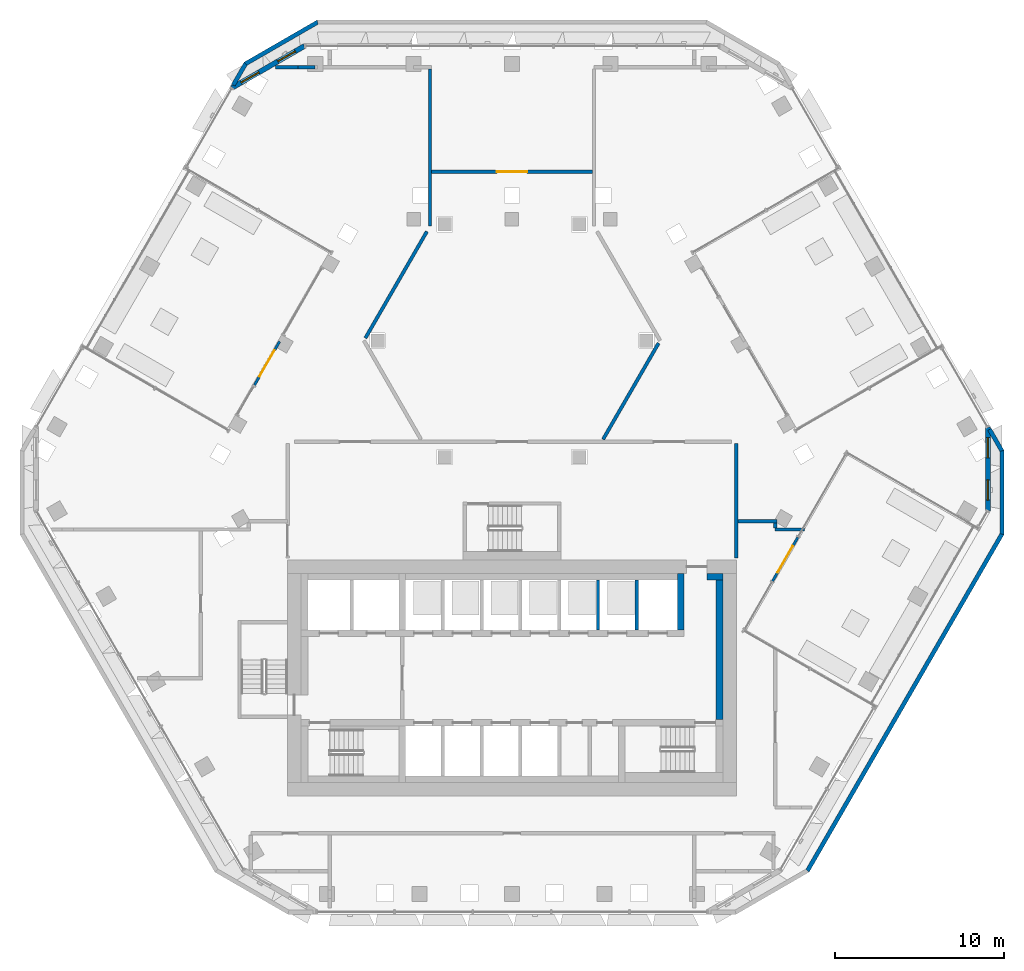
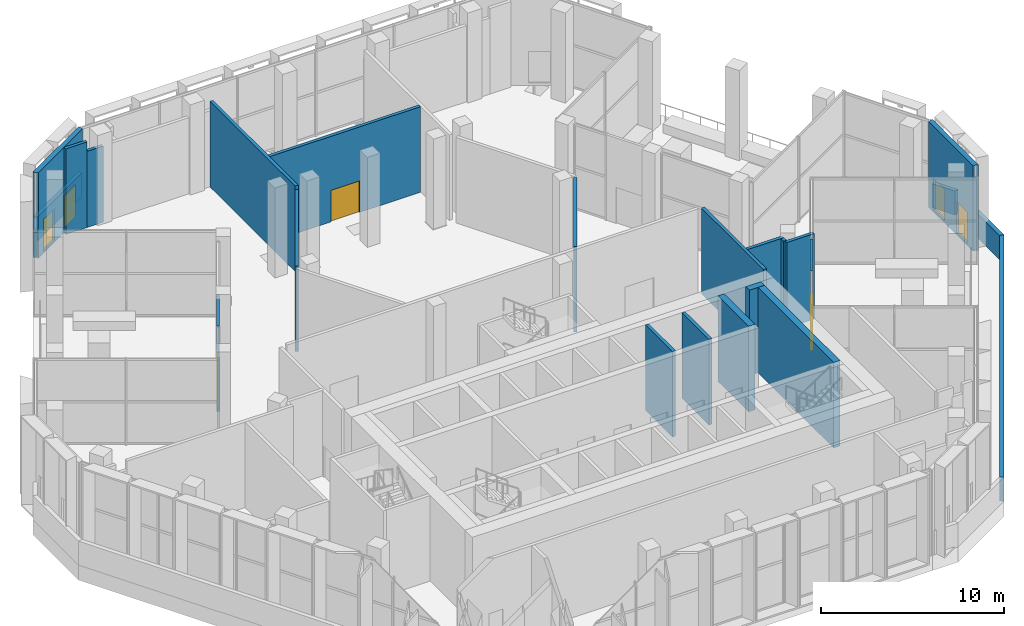
# One storey, part 14 of 27: 24 walls, 4 windows, 3 doors, 7 openings.
"""IFC4 building model written with IfcOpenShell, lengths in metres."""

from ifc_helpers import new_model, si_unit, direction, frame, frame_2d, origin, place, context, subcontext, project, spatial, polyline, rectangle, outline, extrude, material, layer, layer_set, type_object, element, fill, save


model = new_model("IFC4")

# Units and contexts
model_context = context("Model", 3, precision=1e-05, world=origin(), true_north=direction((0.0, 1.0)))
body_context = subcontext(model_context, "Body", "Model", "MODEL_VIEW")
ifc_project = project(units=[si_unit("LENGTHUNIT", "METRE"), si_unit("AREAUNIT", "SQUARE_METRE"), si_unit("VOLUMEUNIT", "CUBIC_METRE"), si_unit("PLANEANGLEUNIT", "RADIAN"), si_unit("MASSUNIT", "GRAM", prefix="KILO")], contexts=[model_context])

# Site, building, storey
site_placement = place(None, origin())
site = spatial("IfcSite", under=ifc_project, at=site_placement, CompositionType="ELEMENT")
building_placement = place(site_placement, origin())
building = spatial("IfcBuilding", under=site, at=building_placement, Name="Beryl Residences", CompositionType="ELEMENT")
storey_placement = place(building_placement, frame((0.0, 0.0, 111.60009765625)))
storey = spatial("IfcBuildingStorey", under=building, at=storey_placement, Name="L34", CompositionType="ELEMENT", Elevation=111.60009765625)

# Wall, openings, windows
ifc_material_1 = material(Name="Composite metal panel with mineral wool insulation")
ifc_layer_1 = layer(ifc_material_1, 0.300048828125)
ifc_layer_set_1 = layer_set([ifc_layer_1], Name="ES1 pale metal composite panel wall 300 mm")
wall_type_1 = type_object("IfcWallType", Name="ES1 pale metal composite panel wall 300 mm", PredefinedType="SOLIDWALL", material=ifc_layer_set_1)
wall_1_placement = place(storey_placement, frame((-12.280029296875, 25.469970703125, 0.0), z_axis=(0.0, 0.0, 1.0), x_axis=(-0.866022959057, -0.500004234368, 0.0)))
wall_1 = element("IfcWall", 1, at=wall_1_placement, inside=storey, type_object=wall_type_1, Name="ES1 external wall L34 N-NW", PredefinedType="SOLIDWALL", context=body_context, shape_type="SweptSolid", body=[
    extrude(outline(polyline([(0.0, -0.14990234375), (5.0, -0.14990234375), (4.919677734375, 0.14990234375), (0.080322265625, 0.14990234375), (0.0, -0.14990234375)])), origin(), (0.0, 0.0, 1.0), 5.699951171875),
])
opening_1_placement = place(wall_1_placement, frame((0.64990234375, 0.0, 0.14990234375)))
opening_1 = element("IfcOpeningElement", 2, at=opening_1_placement, cuts=wall_1, Name="Opening W2", PredefinedType="OPENING", context=body_context, shape_type="SweptSolid", body=[
    extrude(rectangle(XDim=1.199951171875, YDim=2.10009765625, at=frame_2d((0.60009765625, 1.050048828125))), frame((0.0, 0.159912109375, 0.0), z_axis=(0.0, -1.0, 0.0), x_axis=(1.0, 0.0, 0.0)), (0.0, 0.0, 1.0), 0.320068359375),
])
opening_2_placement = place(wall_1_placement, frame((3.14892578125, 0.0, 0.14990234375)))
opening_2 = element("IfcOpeningElement", 3, at=opening_2_placement, cuts=wall_1, Name="Opening W2", PredefinedType="OPENING", context=body_context, shape_type="SweptSolid", body=[
    extrude(rectangle(XDim=1.199951171875, YDim=2.10009765625, at=frame_2d((0.60009765625, 1.050048828125))), frame((0.0, 0.159912109375, 0.0), z_axis=(0.0, -1.0, 0.0), x_axis=(1.0, 0.0, 0.0)), (0.0, 0.0, 1.0), 0.320068359375),
])
ifc_material_2 = material(Name="Aluminium and clear glass", Category="aluminium")
window_type = type_object("IfcWindowType", Name="W2 chamfer window 1200 x 2100 mm", PartitioningType="SINGLE_PANEL", PredefinedType="WINDOW", material=ifc_material_2)
window_1_placement = place(opening_1_placement, origin())
window_1 = element("IfcWindow", 4, at=window_1_placement, inside=storey, type_object=window_type, Name="W2 window L34 N-NW 1", OverallHeight=2.10009765625, OverallWidth=1.199951171875, PartitioningType="SINGLE_PANEL", PredefinedType="WINDOW", context=body_context, shape_type="SweptSolid", body=[
    extrude(rectangle(XDim=1.199951171875, YDim=2.10009765625, at=frame_2d((0.60009765625, 1.050048828125))), frame((0.0, 0.030029296875, 0.0), z_axis=(0.0, -1.0, 0.0), x_axis=(1.0, 0.0, 0.0)), (0.0, 0.0, 1.0), 0.06005859375),
])
fill(opening_1, window_1)
window_2_placement = place(opening_2_placement, origin())
window_2 = element("IfcWindow", 5, at=window_2_placement, inside=storey, type_object=window_type, Name="W2 window L34 N-NW 2", OverallHeight=2.10009765625, OverallWidth=1.199951171875, PartitioningType="SINGLE_PANEL", PredefinedType="WINDOW", context=body_context, shape_type="SweptSolid", body=[
    extrude(rectangle(XDim=1.199951171875, YDim=2.10009765625, at=frame_2d((0.60009765625, 1.050048828125))), frame((0.0, 0.030029296875, 0.0), z_axis=(0.0, -1.0, 0.0), x_axis=(1.0, 0.0, 0.0)), (0.0, 0.0, 1.0), 0.06005859375),
])
fill(opening_2, window_2)

wall_2_placement = place(storey_placement, frame((28.197998046875, -2.10009765625, 0.0), z_axis=(0.0, 0.0, 1.0), x_axis=(0.0, 1.0, 0.0)))
wall_2 = element("IfcWall", 6, at=wall_2_placement, inside=storey, type_object=wall_type_1, Name="ES1 external wall L34 SE-NE", PredefinedType="SOLIDWALL", context=body_context, shape_type="SweptSolid", body=[
    extrude(outline(polyline([(0.0, -0.14990234375), (5.0, -0.14990234375), (4.919677734375, 0.14990234375), (0.080322265625, 0.14990234375), (0.0, -0.14990234375)])), origin(), (0.0, 0.0, 1.0), 5.699951171875),
])
opening_3_placement = place(wall_2_placement, frame((0.64990234375, 0.0, 0.14990234375)))
opening_3 = element("IfcOpeningElement", 7, at=opening_3_placement, cuts=wall_2, Name="Opening W2", PredefinedType="OPENING", context=body_context, shape_type="SweptSolid", body=[
    extrude(rectangle(XDim=1.199951171875, YDim=2.10009765625, at=frame_2d((0.60009765625, 1.050048828125))), frame((0.0, 0.159912109375, 0.0), z_axis=(0.0, -1.0, 0.0), x_axis=(1.0, 0.0, 0.0)), (0.0, 0.0, 1.0), 0.320068359375),
])
opening_4_placement = place(wall_2_placement, frame((3.14990234375, 0.0, 0.14990234375)))
opening_4 = element("IfcOpeningElement", 8, at=opening_4_placement, cuts=wall_2, Name="Opening W2", PredefinedType="OPENING", context=body_context, shape_type="SweptSolid", body=[
    extrude(rectangle(XDim=1.199951171875, YDim=2.10009765625, at=frame_2d((0.60009765625, 1.050048828125))), frame((0.0, 0.159912109375, 0.0), z_axis=(0.0, -1.0, 0.0), x_axis=(1.0, 0.0, 0.0)), (0.0, 0.0, 1.0), 0.320068359375),
])
window_3_placement = place(opening_3_placement, origin())
window_3 = element("IfcWindow", 9, at=window_3_placement, inside=storey, type_object=window_type, Name="W2 window L34 SE-NE 1", OverallHeight=2.10009765625, OverallWidth=1.199951171875, PartitioningType="SINGLE_PANEL", PredefinedType="WINDOW", context=body_context, shape_type="SweptSolid", body=[
    extrude(rectangle(XDim=1.199951171875, YDim=2.10009765625, at=frame_2d((0.60009765625, 1.050048828125))), frame((0.0, 0.030029296875, 0.0), z_axis=(0.0, -1.0, 0.0), x_axis=(1.0, 0.0, 0.0)), (0.0, 0.0, 1.0), 0.06005859375),
])
fill(opening_3, window_3)
window_4_placement = place(opening_4_placement, origin())
window_4 = element("IfcWindow", 10, at=window_4_placement, inside=storey, type_object=window_type, Name="W2 window L34 SE-NE 2", OverallHeight=2.10009765625, OverallWidth=1.199951171875, PartitioningType="SINGLE_PANEL", PredefinedType="WINDOW", context=body_context, shape_type="SweptSolid", body=[
    extrude(rectangle(XDim=1.199951171875, YDim=2.10009765625, at=frame_2d((0.60009765625, 1.050048828125))), frame((0.0, 0.030029296875, 0.0), z_axis=(0.0, -1.0, 0.0), x_axis=(1.0, 0.0, 0.0)), (0.0, 0.0, 1.0), 0.06005859375),
])
fill(opening_4, window_4)

# Wall, opening, door
ifc_material_3 = material(Name="Aluminium framed insulated wall", Category="aluminium")
ifc_layer_2 = layer(ifc_material_3, 0.14990234375)
ifc_layer_set_2 = layer_set([ifc_layer_2], Name="GW1 glazed door wall 150 mm")
wall_type_2 = type_object("IfcWallType", Name="GW1 glazed door wall 150 mm", PredefinedType="SOLIDWALL", material=ifc_layer_set_2)
wall_3_placement = place(storey_placement, frame((-13.77001953125, 7.949951171875, 0.0), z_axis=(0.0, 0.0, 1.0), x_axis=(-0.50002537861, -0.866010750942, 0.0)))
wall_3 = element("IfcWall", 11, at=wall_3_placement, inside=storey, type_object=wall_type_2, Name="GW1 door wall L34 NW", PredefinedType="SOLIDWALL", context=body_context, shape_type="SweptSolid", body=[
    extrude(rectangle(XDim=2.999755859375, YDim=0.14990234375, at=frame_2d((1.5, 0.0))), origin(), (0.0, 0.0, 1.0), 5.699951171875),
])
opening_5_placement = place(wall_3_placement, frame((0.60009765625, 0.0, 0.0)))
opening_5 = element("IfcOpeningElement", 12, at=opening_5_placement, cuts=wall_3, Name="Opening SD3", PredefinedType="OPENING", context=body_context, shape_type="SweptSolid", body=[
    extrude(rectangle(XDim=1.800048828125, YDim=2.39990234375, at=frame_2d((0.89990234375, 1.199951171875))), frame((0.0, 0.0849609375, 0.0), z_axis=(0.0, -1.0, 0.0), x_axis=(1.0, 0.0, 0.0)), (0.0, 0.0, 1.0), 0.169921875),
])
ifc_material_4 = material(Name="Aluminium and clear glass", Category="aluminium")
door_type_1 = type_object("IfcDoorType", Name="SD3 sliding glass door 1800 x 2400 mm", OperationType="SLIDING_TO_LEFT", PredefinedType="DOOR", material=ifc_material_4)
door_1_placement = place(opening_5_placement, origin())
door_1 = element("IfcDoor", 13, at=door_1_placement, inside=storey, type_object=door_type_1, Name="SD3 garden door L34 NW", OperationType="SLIDING_TO_LEFT", OverallHeight=2.39990234375, OverallWidth=1.800048828125, PredefinedType="DOOR", context=body_context, shape_type="SweptSolid", body=[
    extrude(rectangle(XDim=1.800048828125, YDim=2.39990234375, at=frame_2d((0.89990234375, 1.199951171875))), frame((0.0, 0.02490234375, 0.0), z_axis=(0.0, -1.0, 0.0), x_axis=(1.0, 0.0, 0.0)), (0.0, 0.0, 1.0), 0.050048828125),
])
fill(opening_5, door_1)

wall_4_placement = place(storey_placement, frame((15.43896484375, -6.258056640625, 0.0), z_axis=(0.0, 0.0, 1.0), x_axis=(0.499990139034, 0.866031096941, 0.0)))
wall_4 = element("IfcWall", 14, at=wall_4_placement, inside=storey, type_object=wall_type_2, Name="GW1 door wall L34 SE", PredefinedType="SOLIDWALL", context=body_context, shape_type="SweptSolid", body=[
    extrude(rectangle(XDim=3.0, YDim=0.14990234375, at=frame_2d((1.5, 0.0))), origin(), (0.0, 0.0, 1.0), 5.699951171875),
])
opening_6_placement = place(wall_4_placement, frame((0.60009765625, 0.0, 0.0)))
opening_6 = element("IfcOpeningElement", 15, at=opening_6_placement, cuts=wall_4, Name="Opening SD3", PredefinedType="OPENING", context=body_context, shape_type="SweptSolid", body=[
    extrude(rectangle(XDim=1.800048828125, YDim=2.39990234375, at=frame_2d((0.89990234375, 1.199951171875))), frame((0.0, 0.0849609375, 0.0), z_axis=(0.0, -1.0, 0.0), x_axis=(1.0, 0.0, 0.0)), (0.0, 0.0, 1.0), 0.169921875),
])
door_2_placement = place(opening_6_placement, origin())
door_2 = element("IfcDoor", 16, at=door_2_placement, inside=storey, type_object=door_type_1, Name="SD3 garden door L34 SE", OperationType="SLIDING_TO_LEFT", OverallHeight=2.39990234375, OverallWidth=1.800048828125, PredefinedType="DOOR", context=body_context, shape_type="SweptSolid", body=[
    extrude(rectangle(XDim=1.800048828125, YDim=2.39990234375, at=frame_2d((0.89990234375, 1.199951171875))), frame((0.0, 0.02490234375, 0.0), z_axis=(0.0, -1.0, 0.0), x_axis=(1.0, 0.0, 0.0)), (0.0, 0.0, 1.0), 0.050048828125),
])
fill(opening_6, door_2)

# Walls
ifc_material_5 = material(Name="Precast concrete C40/50", Category="concrete")
ifc_layer_3 = layer(ifc_material_5, 0.25)
ifc_layer_set_3 = layer_set([ifc_layer_3], Name="PA1 roof parapet 250 mm")
wall_type_3 = type_object("IfcWallType", Name="PA1 roof parapet 250 mm", PredefinedType="PARAPET", material=ifc_layer_set_3)
wall_5_placement = place(storey_placement, frame((28.299072265625, 2.736083984375, 0.0), z_axis=(0.0, 0.0, 1.0), x_axis=(0.500272171574, -0.865868208418, 0.0)))
element("IfcWall", 17, at=wall_5_placement, inside=storey, type_object=wall_type_3, Name="PA1 parapet L34 strip 1", PredefinedType="PARAPET", context=body_context, shape_type="SweptSolid", body=[
    extrude(outline(polyline([(0.0, -0.125), (1.432373046875, -0.125), (1.499267578125, 0.125), (0.0, 0.125), (0.0, -0.125)])), origin(), (0.0, 0.0, 1.0), 1.599853515625),
])
wall_6_placement = place(storey_placement, frame((29.031982421875, 1.5009765625, 0.0), z_axis=(0.0, 0.0, 1.0), x_axis=(0.0, -1.0, 0.0)))
element("IfcWall", 18, at=wall_6_placement, inside=storey, type_object=wall_type_3, Name="PA1 parapet L34 strip 2", PredefinedType="PARAPET", context=body_context, shape_type="SweptSolid", body=[
    extrude(outline(polyline([(0.06689453125, -0.125), (4.93408203125, -0.125), (5.0009765625, 0.125), (0.0, 0.125), (0.06689453125, -0.125)])), origin(), (0.0, 0.0, 1.0), 1.599853515625),
])
wall_7_placement = place(storey_placement, frame((29.049072265625, -3.43798828125, 0.0), z_axis=(0.0, 0.0, 1.0), x_axis=(-0.500085431376, -0.865976074338, 0.0)))
element("IfcWall", 19, at=wall_7_placement, inside=storey, type_object=wall_type_3, Name="PA1 parapet L34 strip 3", PredefinedType="PARAPET", context=body_context, shape_type="SweptSolid", body=[
    extrude(outline(polyline([(0.06689453125, -0.125), (23.02734375, -0.125), (23.09423828125, 0.125), (0.0, 0.125), (0.06689453125, -0.125)])), origin(), (0.0, 0.0, 1.0), 1.599853515625),
])
wall_8_placement = place(storey_placement, frame((-16.51806640625, 23.139892578125, 0.0), z_axis=(0.0, 0.0, 1.0), x_axis=(0.500554469283, 0.865705044043, 0.0)))
element("IfcWall", 20, at=wall_8_placement, inside=storey, type_object=wall_type_3, Name="PA1 parapet L34 strip 1", PredefinedType="PARAPET", context=body_context, shape_type="SweptSolid", body=[
    extrude(outline(polyline([(0.0, -0.125), (1.431396484375, -0.125), (1.498291015625, 0.125), (0.0, 0.125), (0.0, -0.125)])), origin(), (0.0, 0.0, 1.0), 1.599853515625),
])
wall_9_placement = place(storey_placement, frame((-15.81396484375, 24.39111328125, 0.0), z_axis=(0.0, 0.0, 1.0), x_axis=(0.865877295069, 0.50025644412, 0.0)))
element("IfcWall", 21, at=wall_9_placement, inside=storey, type_object=wall_type_3, Name="PA1 parapet L34 strip 2", PredefinedType="PARAPET", context=body_context, shape_type="SweptSolid", body=[
    extrude(outline(polyline([(0.06689453125, -0.125), (4.932373046875, -0.125), (4.999267578125, 0.125), (0.0, 0.125), (0.06689453125, -0.125)])), origin(), (0.0, 0.0, 1.0), 1.599853515625),
])
ifc_material_6 = material(Name="Concrete masonry", Category="masonry")
ifc_layer_4 = layer(ifc_material_6, 0.39990234375)
ifc_layer_set_4 = layer_set([ifc_layer_4], Name="PT13-400 lobby wall 400 mm")
wall_type_4 = type_object("IfcWallType", Name="PT13-400 lobby wall 400 mm", PredefinedType="PARTITIONING", material=ifc_layer_set_4)
wall_10_placement = place(storey_placement, frame((11.550048828125, -6.0, 0.0), z_axis=(0.0, 0.0, 1.0), x_axis=(1.0, 0.0, 0.0)))
element("IfcWall", 22, at=wall_10_placement, inside=storey, type_object=wall_type_4, Name="Lobby wall 26", PredefinedType="PARTITIONING", context=body_context, shape_type="SweptSolid", body=[
    extrude(rectangle(XDim=0.949951171875, YDim=0.39990234375, at=frame_2d((0.47509765625, 0.0))), origin(), (0.0, 0.0, 1.0), 5.699951171875),
])
wall_11_placement = place(storey_placement, frame((12.300048828125, -14.449951171875, 0.0), z_axis=(0.0, 0.0, 1.0), x_axis=(0.0, 1.0, 0.0)))
element("IfcWall", 23, at=wall_11_placement, inside=storey, type_object=wall_type_4, Name="Lobby wall 28", PredefinedType="PARTITIONING", context=body_context, shape_type="SweptSolid", body=[
    extrude(rectangle(XDim=8.25, YDim=0.39990234375, at=frame_2d((4.125, 0.0))), origin(), (0.0, 0.0, 1.0), 5.699951171875),
])
ifc_material_7 = material(Name="Double stud gypsum board wall")
ifc_layer_5 = layer(ifc_material_7, 0.199951171875)
ifc_layer_set_5 = layer_set([ifc_layer_5], Name="PT4 corridor wall 200 mm double stud")
wall_type_5 = type_object("IfcWallType", Name="PT4 corridor wall 200 mm double stud", PredefinedType="PARTITIONING", material=ifc_layer_set_5)
wall_12_placement = place(storey_placement, frame((15.60009765625, -3.196044921875, 0.0), z_axis=(0.0, 0.0, 1.0), x_axis=(1.0, 0.0, 0.0)))
element("IfcWall", 24, at=wall_12_placement, inside=storey, type_object=wall_type_5, Name="Wall PT4 L34 011", PredefinedType="PARTITIONING", context=body_context, shape_type="SweptSolid", body=[
    extrude(rectangle(XDim=1.73095703125, YDim=0.199951171875, at=frame_2d((0.865478515625, 0.0))), origin(), (0.0, 0.0, 1.0), 5.699951171875),
])
wall_13_placement = place(storey_placement, frame((13.39990234375, -2.699951171875, 0.0), z_axis=(0.0, 0.0, 1.0), x_axis=(1.0, 0.0, 0.0)))
element("IfcWall", 25, at=wall_13_placement, inside=storey, type_object=wall_type_5, Name="Wall PT4 L34 013", PredefinedType="PARTITIONING", context=body_context, shape_type="SweptSolid", body=[
    extrude(rectangle(XDim=2.300048828125, YDim=0.199951171875, at=frame_2d((1.14990234375, 0.0))), origin(), (0.0, 0.0, 1.0), 5.699951171875),
])

# Wall, opening, door
wall_14_placement = place(storey_placement, frame((-4.757080078125, 18.0, 0.0), z_axis=(0.0, 0.0, 1.0), x_axis=(1.0, 0.0, 0.0)))
wall_14 = element("IfcWall", 26, at=wall_14_placement, inside=storey, type_object=wall_type_5, Name="Wall PT4 L34 015", PredefinedType="PARTITIONING", context=body_context, shape_type="SweptSolid", body=[
    extrude(rectangle(XDim=9.51416015625, YDim=0.199951171875, at=frame_2d((4.757080078125, 0.0))), origin(), (0.0, 0.0, 1.0), 5.699951171875),
])
opening_7_placement = place(wall_14_placement, frame((3.85693359375, 0.0, 0.0)))
opening_7 = element("IfcOpeningElement", 27, at=opening_7_placement, cuts=wall_14, Name="Opening L34-08", PredefinedType="OPENING", context=body_context, shape_type="SweptSolid", body=[
    extrude(rectangle(XDim=1.800048828125, YDim=2.10009765625, at=frame_2d((0.89990234375, 1.050048828125))), frame((0.0, 0.10986328125, 0.0), z_axis=(0.0, -1.0, 0.0), x_axis=(1.0, 0.0, 0.0)), (0.0, 0.0, 1.0), 0.219970703125),
])
ifc_material_8 = material(Name="Timber door leaf", Category="wood")
door_type_2 = type_object("IfcDoorType", Name="D20 corridor door 1800 x 2100 mm", OperationType="DOUBLE_DOOR_SINGLE_SWING", PredefinedType="DOOR", material=ifc_material_8)
door_3_placement = place(opening_7_placement, origin())
door_3 = element("IfcDoor", 28, at=door_3_placement, inside=storey, type_object=door_type_2, Name="Door L34-08 L34 001", OperationType="DOUBLE_DOOR_SINGLE_SWING", OverallHeight=2.10009765625, OverallWidth=1.800048828125, PredefinedType="DOOR", context=body_context, shape_type="SweptSolid", body=[
    extrude(rectangle(XDim=1.800048828125, YDim=2.10009765625, at=frame_2d((0.89990234375, 1.050048828125))), frame((0.0, 0.02490234375, 0.0), z_axis=(0.0, -1.0, 0.0), x_axis=(1.0, 0.0, 0.0)), (0.0, 0.0, 1.0), 0.050048828125),
])
fill(opening_7, door_3)

# Walls
wall_15_placement = place(storey_placement, frame((-14.027099609375, 24.196044921875, 0.0), z_axis=(0.0, 0.0, 1.0), x_axis=(1.0, 0.0, 0.0)))
element("IfcWall", 29, at=wall_15_placement, inside=storey, type_object=wall_type_5, Name="Wall PT4 L34 016", PredefinedType="PARTITIONING", context=body_context, shape_type="SweptSolid", body=[
    extrude(rectangle(XDim=1.338134765625, YDim=0.199951171875, at=frame_2d((0.6689453125, 0.0))), origin(), (0.0, 0.0, 1.0), 5.699951171875),
])
wall_16_placement = place(storey_placement, frame((-12.68896484375, 24.196044921875, 0.0), z_axis=(0.0, 0.0, 1.0), x_axis=(1.0, 0.0, 0.0)))
element("IfcWall", 30, at=wall_16_placement, inside=storey, type_object=wall_type_5, Name="Wall PT4 L34 017", PredefinedType="PARTITIONING", context=body_context, shape_type="SweptSolid", body=[
    extrude(rectangle(XDim=1.02685546875, YDim=0.199951171875, at=frame_2d((0.513427734375, 0.0))), origin(), (0.0, 0.0, 1.0), 5.06982421875),
])
wall_17_placement = place(storey_placement, frame((-4.85693359375, 14.787109375, 0.0), z_axis=(0.0, 0.0, 1.0), x_axis=(0.0, 1.0, 0.0)))
element("IfcWall", 31, at=wall_17_placement, inside=storey, type_object=wall_type_5, Name="Wall PT4 L34 034", PredefinedType="PARTITIONING", context=body_context, shape_type="SweptSolid", body=[
    extrude(rectangle(XDim=9.308837890625, YDim=0.199951171875, at=frame_2d((4.654296875, 0.0))), origin(), (0.0, 0.0, 1.0), 5.699951171875),
])
wall_18_placement = place(storey_placement, frame((13.300048828125, -4.8798828125, 0.0), z_axis=(0.0, 0.0, 1.0), x_axis=(0.0, 1.0, 0.0)))
element("IfcWall", 32, at=wall_18_placement, inside=storey, type_object=wall_type_5, Name="Wall PT4 L34 041", PredefinedType="PARTITIONING", context=body_context, shape_type="SweptSolid", body=[
    extrude(rectangle(XDim=6.77978515625, YDim=0.199951171875, at=frame_2d((3.389892578125, 0.0))), origin(), (0.0, 0.0, 1.0), 5.699951171875),
])
wall_19_placement = place(storey_placement, frame((15.60009765625, -3.095947265625, 0.0), z_axis=(0.0, 0.0, 1.0), x_axis=(0.0, 1.0, 0.0)))
element("IfcWall", 33, at=wall_19_placement, inside=storey, type_object=wall_type_5, Name="Wall PT4 L34 043", PredefinedType="PARTITIONING", context=body_context, shape_type="SweptSolid", body=[
    extrude(rectangle(XDim=0.2958984375, YDim=0.199951171875, at=frame_2d((0.14794921875, 0.0))), origin(), (0.0, 0.0, 1.0), 5.699951171875),
])
wall_20_placement = place(storey_placement, frame((5.39697265625, 2.14794921875, 0.0), z_axis=(0.0, 0.0, 1.0), x_axis=(0.499983511822, 0.866034923029, 0.0)))
element("IfcWall", 34, at=wall_20_placement, inside=storey, type_object=wall_type_5, Name="Wall PT4 L34 046", PredefinedType="PARTITIONING", context=body_context, shape_type="SweptSolid", body=[
    extrude(rectangle(XDim=6.584228515625, YDim=0.199951171875, at=frame_2d((3.2919921875, 0.0))), origin(), (0.0, 0.0, 1.0), 5.699951171875),
])
wall_21_placement = place(storey_placement, frame((-8.68896484375, 8.14990234375, 0.0), z_axis=(0.0, 0.0, 1.0), x_axis=(0.499949518346, 0.866054547419, 0.0)))
element("IfcWall", 35, at=wall_21_placement, inside=storey, type_object=wall_type_5, Name="Wall PT4 L34 047", PredefinedType="PARTITIONING", context=body_context, shape_type="SweptSolid", body=[
    extrude(rectangle(XDim=7.290771484375, YDim=0.199951171875, at=frame_2d((3.6455078125, 0.0))), origin(), (0.0, 0.0, 1.0), 5.699951171875),
])
ifc_material_9 = material(Name="Concrete C40/50", Category="concrete")
ifc_layer_6 = layer(ifc_material_9, 0.199951171875)
ifc_layer_set_6 = layer_set([ifc_layer_6], Name="PT6 lift shaft wall 200 mm reinforced concrete C40/50")
wall_type_6 = type_object("IfcWallType", Name="PT6 lift shaft wall 200 mm reinforced concrete C40/50", PredefinedType="SOLIDWALL", material=ifc_layer_set_6)
for number, where, z_axis, x_axis, name in (
    (36, (5.10009765625, -9.14990234375, 0.0), (0.0, 0.0, 1.0), (0.0, 1.0, 0.0), "Lift shaft wall 23"),
    (37, (7.39990234375, -9.14990234375, 0.0), (0.0, 0.0, 1.0), (0.0, 1.0, 0.0), "Lift shaft wall 25"),
):
    element("IfcWall", number, at=place(storey_placement, frame(where, z_axis=z_axis, x_axis=x_axis)), inside=storey, type_object=wall_type_6, Name=name, PredefinedType="SOLIDWALL", context=body_context, shape_type="SweptSolid", body=[
        extrude(rectangle(XDim=2.949951171875, YDim=0.199951171875, at=frame_2d((1.47509765625, 0.0))), origin(), (0.0, 0.0, 1.0), 5.699951171875),
    ])
ifc_material_10 = material(Name="Concrete C60/75", Category="concrete")
ifc_layer_7 = layer(ifc_material_10, 0.39990234375)
ifc_layer_set_7 = layer_set([ifc_layer_7], Name="SW8 core internal wall 400 mm C60/75")
wall_type_7 = type_object("IfcWallType", Name="SW8 core internal wall 400 mm C60/75", PredefinedType="SHEAR", material=ifc_layer_set_7)
wall_22_placement = place(storey_placement, frame((10.0, -9.14990234375, 0.0), z_axis=(0.0, 0.0, 1.0), x_axis=(0.0, 1.0, 0.0)))
element("IfcWall", 38, at=wall_22_placement, inside=storey, type_object=wall_type_7, Name="Core wall XN2 L34", PredefinedType="SHEAR", context=body_context, shape_type="SweptSolid", body=[
    extrude(rectangle(XDim=3.349853515625, YDim=0.39990234375, at=frame_2d((1.6748046875, 0.0))), origin(), (0.0, 0.0, 1.0), 5.699951171875),
])

save(model, "model.ifc")
